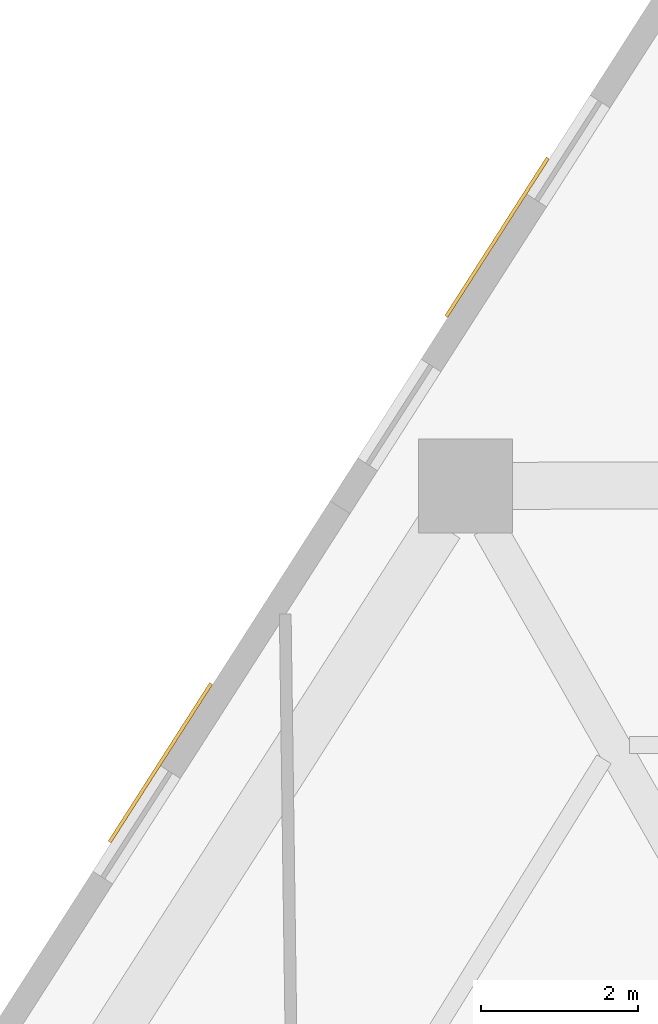
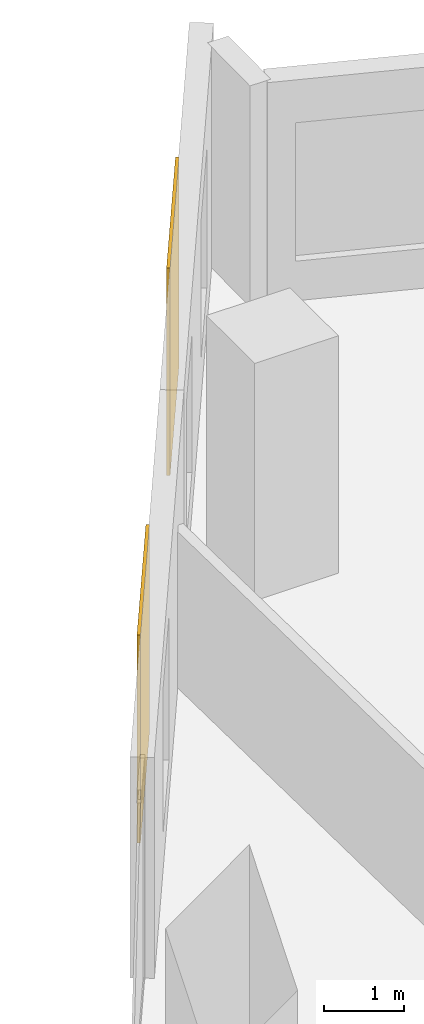
# One storey, part 12 of 12: 2 coverings.
"""IFC4 building model written with IfcOpenShell, lengths in metres."""

import ifcopenshell
import ifcopenshell.guid

model = None  # the IFC model being written
_history = None  # IfcOwnerHistory: only IFC2X3 demands one
_inside = {}  # id of a spatial element -> (the spatial element, [elements in it])
_under = {}  # id of a project, library or spatial element -> (it, [spatial elements below it])
_declared = {}  # id of a project -> (the project, [libraries it declares])
_typed = {}  # id of a type object -> (the type object, [elements of that type])
_made_of = {}  # id of a material, layer set ... -> (it, [elements and type objects made of it])


def new_model(schema):
    """Start an empty IFC model of exactly this schema.

    Asked for "IFC4X3", IfcOpenShell would pick the latest addendum, in which some entities
    have other attributes; the version numbers below select the first issue.
    IFC2X3 requires an IfcOwnerHistory on every rooted entity: one is made here for all.
    """
    global model, _history
    if schema == "IFC4X3":
        model = ifcopenshell.file(schema_version=(4, 3, 0, 0))
    else:
        model = ifcopenshell.file(schema=schema)
    _inside.clear()
    _under.clear()
    _declared.clear()
    _typed.clear()
    _made_of.clear()
    _history = None
    if model.schema == "IFC2X3":
        org = make("IfcOrganization", Name="unknown")
        user = make(
            "IfcPersonAndOrganization",
            ThePerson=make("IfcPerson", FamilyName="unknown"),
            TheOrganization=org,
        )
        app = make(
            "IfcApplication",
            ApplicationDeveloper=org,
            Version="unknown",
            ApplicationFullName="unknown",
            ApplicationIdentifier="unknown",
        )
        _history = make(
            "IfcOwnerHistory",
            OwningUser=user,
            OwningApplication=app,
            ChangeAction="ADDED",
            CreationDate=0,
        )
    return model


def make(cls, **values):
    """One entity of the class cls with the attributes given. An attribute that is None is left unset."""
    return model.create_entity(
        cls, **{name: value for name, value in values.items() if value is not None}
    )


def rooted(cls, **values):
    """An entity with a GlobalId (a new one), such as an element, a storey or a relation."""
    return make(cls, GlobalId=ifcopenshell.guid.new(), OwnerHistory=_history, **values)


def si_unit(unit_type, name, prefix=None):
    """IfcSIUnit, for example si_unit("LENGTHUNIT", "METRE", prefix="MILLI")."""
    return make("IfcSIUnit", UnitType=unit_type, Prefix=prefix, Name=name)


def assignment(units):
    """IfcUnitAssignment: the units of a project."""
    return None if units is None else make("IfcUnitAssignment", Units=units)


def point(xyz):
    """IfcCartesianPoint."""
    return None if xyz is None else make("IfcCartesianPoint", Coordinates=xyz)


def direction(xyz):
    """IfcDirection."""
    return None if xyz is None else make("IfcDirection", DirectionRatios=xyz)


def frame(location, z_axis=None, x_axis=None):
    """IfcAxis2Placement3D, a coordinate frame: its origin and axes. An axis left out is left unset."""
    return make(
        "IfcAxis2Placement3D",
        Location=point(location),
        Axis=direction(z_axis),
        RefDirection=direction(x_axis),
    )


def frame_2d(location, x_axis=None):
    """IfcAxis2Placement2D, a coordinate frame in the plane: its origin and x axis."""
    return make(
        "IfcAxis2Placement2D", Location=point(location), RefDirection=direction(x_axis)
    )


def origin():
    """The frame at (0, 0, 0) with its axes left unset."""
    return frame((0.0, 0.0, 0.0))


def origin_2d():
    """The frame at (0, 0) in the plane with its x axis left unset."""
    return frame_2d((0.0, 0.0))


def place(relative_to, where):
    """IfcLocalPlacement: puts the frame where relative to a parent placement (None: the world)."""
    return make(
        "IfcLocalPlacement", PlacementRelTo=relative_to, RelativePlacement=where
    )


def context(
    kind, dimensions, precision=None, world=None, true_north=None, identifier=None
):
    """IfcGeometricRepresentationContext, for example the 3D "Model" context."""
    return make(
        "IfcGeometricRepresentationContext",
        ContextIdentifier=identifier,
        ContextType=kind,
        CoordinateSpaceDimension=dimensions,
        Precision=precision,
        WorldCoordinateSystem=world,
        TrueNorth=true_north,
    )


def subcontext(parent, identifier, kind, view, scale=None):
    """IfcGeometricRepresentationSubContext, for example "Body" below "Model"."""
    return make(
        "IfcGeometricRepresentationSubContext",
        ContextIdentifier=identifier,
        ContextType=kind,
        ParentContext=parent,
        TargetScale=scale,
        TargetView=view,
    )


def project(units=None, contexts=None):
    """IfcProject with its units and contexts."""
    return rooted(
        "IfcProject",
        Name="project",
        RepresentationContexts=contexts,
        UnitsInContext=assignment(units),
    )


def spatial(cls, under=None, at=None, **own):
    """A site, building, storey or space (cls), placed at a placement, below another one or the project."""
    s = rooted(cls, ObjectPlacement=at, **own)
    if under is not None:
        _under.setdefault(under.id(), (under, []))[1].append(s)
    return s


def profile(cls, at=None, kind="AREA", **sizes):
    """A parametric profile (cls). Its sizes go by their IFC names, for example OverallWidth=200.0."""
    return make(cls, ProfileType=kind, Position=at, **sizes)


def rectangle(**sizes):
    """IfcRectangleProfileDef."""
    return profile("IfcRectangleProfileDef", **sizes)


def extrude(swept, where, along, depth):
    """IfcExtrudedAreaSolid: the profile swept, set in the frame where, extruded along a direction by depth."""
    return make(
        "IfcExtrudedAreaSolid",
        SweptArea=swept,
        Position=where,
        ExtrudedDirection=direction(along),
        Depth=depth,
    )


def shape(context_of_items, identifier, shape_type, items):
    """IfcShapeRepresentation: the items that make up one representation, for example the "Body"."""
    return make(
        "IfcShapeRepresentation",
        ContextOfItems=context_of_items,
        RepresentationIdentifier=identifier,
        RepresentationType=shape_type,
        Items=items,
    )


def material(Name=None, Category=None):
    """IfcMaterial."""
    return make("IfcMaterial", Name=Name, Category=Category)


def layer(
    of_material, thickness, ventilated=None, Name=None, Category=None, Priority=None
):
    """IfcMaterialLayer: one layer of a wall or slab, of a material (None: an air gap)."""
    return make(
        "IfcMaterialLayer",
        Material=of_material,
        LayerThickness=thickness,
        IsVentilated=ventilated,
        Name=Name,
        Category=Category,
        Priority=Priority,
    )


def layer_set(layers, Name=None):
    """IfcMaterialLayerSet."""
    return make("IfcMaterialLayerSet", MaterialLayers=layers, LayerSetName=Name)


def made_of(thing, what):
    """Note that an element or type object is made of a material, layer set ...; save() writes the relation."""
    if what is not None:
        _made_of.setdefault(what.id(), (what, []))[1].append(thing)
    return thing


def type_object(cls, material=None, **own):
    """A type object (cls), such as IfcWallType, which elements share."""
    return made_of(rooted(cls, **own), material)


def element(
    cls,
    number,
    at=None,
    inside=None,
    cuts=None,
    type_object=None,
    material=None,
    context=None,
    identifier="Body",
    shape_type=None,
    held_by="IfcProductDefinitionShape",
    body=None,
    shapes=None,
    **own,
):
    """One element of the class cls, such as IfcWall. Its Tag is "e" and its number.

    at: its placement. inside: the storey or other place that contains it. cuts: it is an
    opening in that element (IfcRelVoidsElement). A single representation is given by context,
    identifier, shape_type and body (its items); several are given by shapes. held_by: the class
    of the entity that holds the representations. save() writes the other relations.
    """
    e = rooted(cls, Tag="e%d" % number, ObjectPlacement=at, **own)
    if body is not None:
        shapes = [shape(context, identifier, shape_type, body)]
    if shapes is not None:
        e.Representation = make(held_by, Representations=shapes)
    if inside is not None:
        _inside.setdefault(inside.id(), (inside, []))[1].append(e)
    if cuts is not None:
        rooted(
            "IfcRelVoidsElement", RelatingBuildingElement=cuts, RelatedOpeningElement=e
        )
    if type_object is not None:
        _typed.setdefault(type_object.id(), (type_object, []))[1].append(e)
    return made_of(e, material)


def aggregate(whole, parts):
    """IfcRelAggregates: a whole, such as a stair, and the parts it consists of."""
    return rooted("IfcRelAggregates", RelatingObject=whole, RelatedObjects=parts)


def save(model, path):
    """Write the relations noted so far, then the file.

    IfcRelAggregates (storeys below a building ...), IfcRelContainedInSpatialStructure (elements
    in a storey), IfcRelDefinesByType, IfcRelAssociatesMaterial and IfcRelDeclares: one each for
    every whole, place, type object, material and project.
    """
    for whole, parts in _under.values():
        aggregate(whole, parts)
    for where, things in _inside.values():
        rooted(
            "IfcRelContainedInSpatialStructure",
            RelatedElements=things,
            RelatingStructure=where,
        )
    for kind, things in _typed.values():
        rooted("IfcRelDefinesByType", RelatedObjects=things, RelatingType=kind)
    for what, things in _made_of.values():
        rooted("IfcRelAssociatesMaterial", RelatedObjects=things, RelatingMaterial=what)
    for by, libraries in _declared.values():
        rooted("IfcRelDeclares", RelatingContext=by, RelatedDefinitions=libraries)
    model.write(path)


model = new_model("IFC4")

# Units and contexts
model_context = context("Model", 3, precision=1e-05, world=origin(), true_north=direction((0.0, 1.0)))
body_context = subcontext(model_context, "Body", "Model", "MODEL_VIEW")
ifc_project = project(units=[si_unit("LENGTHUNIT", "METRE"), si_unit("AREAUNIT", "SQUARE_METRE"), si_unit("VOLUMEUNIT", "CUBIC_METRE"), si_unit("PLANEANGLEUNIT", "RADIAN"), si_unit("MASSUNIT", "GRAM", prefix="KILO")], contexts=[model_context])

# Site, building, storey
site_placement = place(None, origin())
site = spatial("IfcSite", under=ifc_project, at=site_placement, CompositionType="ELEMENT")
building_placement = place(site_placement, origin())
building = spatial("IfcBuilding", under=site, at=building_placement, Name="Almagre Mirador Tower", CompositionType="ELEMENT")
storey_placement = place(building_placement, frame((0.0, 0.0, 93.0)))
storey = spatial("IfcBuildingStorey", under=building, at=storey_placement, Name="L23", CompositionType="ELEMENT", Elevation=93.0)

# Coverings
ifc_material = material(Name="Almagre terracotta architectural cladding", Category="masonry")
ifc_layer = layer(ifc_material, 0.044921875)
ifc_layer_set = layer_set([ifc_layer], Name="Almagre terracotta architectural cladding")
covering_type = type_object("IfcCoveringType", Name="COV-CLAD-ALMAGRE", PredefinedType="CLADDING", material=ifc_layer_set)
for number, where, z_axis, x_axis, name in (
    (1, (27.205322265625, 33.656005859375, 0.10009765625), (0.0, 0.0, 1.0), (0.539461671362, 0.84201015738, 0.0), "L23 almagre terracotta pier cladding"),
    (2, (31.501708984375, 40.362060546875, 0.10009765625), (0.0, 0.0, 1.0), (0.53944697543, 0.842019572635, 0.0), "L23 almagre terracotta pier cladding"),
):
    element("IfcCovering", number, at=place(storey_placement, frame(where, z_axis=z_axis, x_axis=x_axis)), inside=storey, type_object=covering_type, Name=name, PredefinedType="CLADDING", context=body_context, shape_type="SweptSolid", body=[
        extrude(rectangle(XDim=2.39990234375, YDim=0.044921875, at=origin_2d()), origin(), (0.0, 0.0, 1.0), 3.14990234375),
    ])

save(model, "model.ifc")
